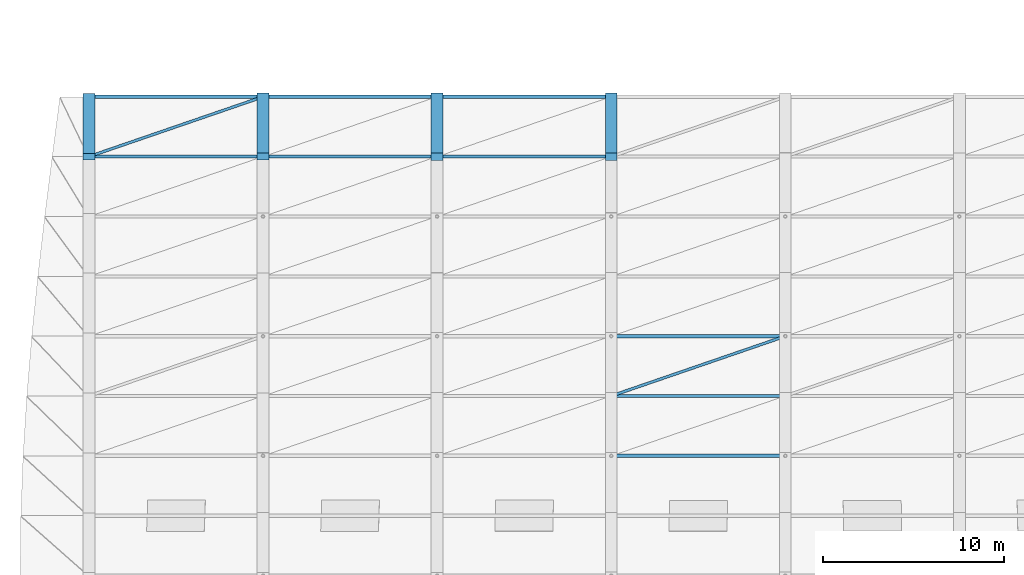
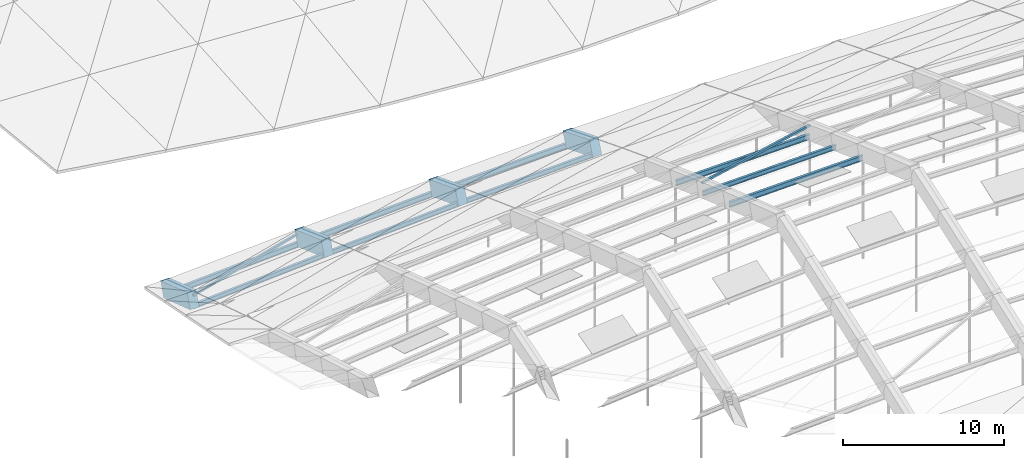
# One storey, part 22 of 43: 11 members, 4 beams.
"""IFC4 building model written with IfcOpenShell, lengths in metres."""

from ifc_helpers import new_model, si_unit, direction, frame, origin, origin_2d, place, context, subcontext, project, spatial, rectangle, hollow_rectangle, i_section, extrude, material, material_profile, profile_set, type_object, element, save


model = new_model("IFC4")

# Units and contexts
model_context = context("Model", 3, precision=1e-05, world=origin(), true_north=direction((0.0, 1.0)))
body_context = subcontext(model_context, "Body", "Model", "MODEL_VIEW")
ifc_project = project(units=[si_unit("LENGTHUNIT", "METRE"), si_unit("AREAUNIT", "SQUARE_METRE"), si_unit("VOLUMEUNIT", "CUBIC_METRE"), si_unit("PLANEANGLEUNIT", "RADIAN"), si_unit("MASSUNIT", "GRAM", prefix="KILO")], contexts=[model_context])

# Site, building, storey
site_placement = place(None, origin())
site = spatial("IfcSite", under=ifc_project, at=site_placement, CompositionType="ELEMENT")
building_placement = place(site_placement, origin())
building = spatial("IfcBuilding", under=site, at=building_placement, Name="Chalmorin Arch Market", CompositionType="ELEMENT")
storey_placement = place(building_placement, frame((0.0, 0.0, 18.60009765625)))
storey = spatial("IfcBuildingStorey", under=building, at=storey_placement, Name="RF", CompositionType="ELEMENT", Elevation=18.60009765625)

# Beams
ifc_material_1 = material(Name="Concrete C50/60", Category="concrete")
ifc_material_profile_1 = material_profile(ifc_material_1, rectangle(XDim=0.64990234375, YDim=1.14990234375, at=origin_2d()), Name="RC650X1150")
ifc_profile_set_1 = profile_set([ifc_material_profile_1], Name="Concrete C50/60")
beam_type = type_object("IfcBeamType", Name="ArchRibChord-650x1150", PredefinedType="BEAM", material=ifc_profile_set_1)
beam_1_placement = place(storey_placement, frame((48.0, 55.5, -2.14892578125), z_axis=(0.0, 0.948592027555, -0.316501445903), x_axis=(-1.0, 0.0, 0.0)))
element("IfcBeam", 1, at=beam_1_placement, inside=storey, type_object=beam_type, Name="AR-01-1600", PredefinedType="BEAM", context=body_context, shape_type="SweptSolid", body=[
    extrude(rectangle(XDim=0.64990234375, YDim=1.14990234375, at=origin_2d()), origin(), (0.0, 0.0, 1.0), 3.47900390625),
])
beam_2_placement = place(storey_placement, frame((57.60009765625, 55.5, -1.541259765625), z_axis=(0.0, 0.940512524689, -0.339759018869), x_axis=(-1.0, 0.0, 0.0)))
element("IfcBeam", 2, at=beam_2_placement, inside=storey, type_object=beam_type, Name="AR-01-1619", PredefinedType="BEAM", context=body_context, shape_type="SweptSolid", body=[
    extrude(rectangle(XDim=0.64990234375, YDim=1.14990234375, at=origin_2d()), origin(), (0.0, 0.0, 1.0), 3.5087890625),
])
beam_3_placement = place(storey_placement, frame((67.199951171875, 55.5, -1.026123046875), z_axis=(0.0, 0.933342046905, -0.358988333347), x_axis=(-1.0, 0.0, 0.0)))
element("IfcBeam", 3, at=beam_3_placement, inside=storey, type_object=beam_type, Name="AR-01-1638", PredefinedType="BEAM", context=body_context, shape_type="SweptSolid", body=[
    extrude(rectangle(XDim=0.64990234375, YDim=1.14990234375, at=origin_2d()), origin(), (0.0, 0.0, 1.0), 3.53564453125),
])
beam_4_placement = place(storey_placement, frame((76.800048828125, 55.5, -0.681884765625), z_axis=(0.0, 0.928377186823, -0.371639339935), x_axis=(-1.0, 0.0, 0.0)))
element("IfcBeam", 4, at=beam_4_placement, inside=storey, type_object=beam_type, Name="AR-01-1657", PredefinedType="BEAM", context=body_context, shape_type="SweptSolid", body=[
    extrude(rectangle(XDim=0.64990234375, YDim=1.14990234375, at=origin_2d()), origin(), (0.0, 0.0, 1.0), 3.5546875),
])

# Members
ifc_material_2 = material(Name="Steel A992 Grade 50", Category="steel")
ifc_material_profile_2 = material_profile(ifc_material_2, i_section(OverallWidth=0.1708984375, OverallDepth=0.35107421875, WebThickness=0.0068359375, FlangeThickness=0.009765625, FilletRadius=0.014892578125, at=origin_2d()), Name="W14X30")
ifc_profile_set_2 = profile_set([ifc_material_profile_2], Name="Steel A992 Grade 50")
member_type_1 = type_object("IfcMemberType", Name="RoofSteelPurlin-W14X30", PredefinedType="PURLIN", material=ifc_profile_set_2)
member_1_placement = place(storey_placement, frame((48.02001953125, 55.5, -2.62890625), z_axis=(0.997985973277, 0.0, 0.063434983592), x_axis=(0.0, 1.0, 0.0)))
element("IfcMember", 5, at=member_1_placement, inside=storey, type_object=member_type_1, Name="PR-W14-0199", PredefinedType="PURLIN", context=body_context, shape_type="SweptSolid", body=[
    extrude(i_section(OverallWidth=0.1708984375, OverallDepth=0.35107421875, WebThickness=0.0068359375, FlangeThickness=0.009765625, FilletRadius=0.014892578125, at=origin_2d()), origin(), (0.0, 0.0, 1.0), 9.579345703125),
])
member_2_placement = place(storey_placement, frame((57.6201171875, 55.5, -2.021240234375), z_axis=(0.998551322998, 0.0, 0.053807576973), x_axis=(0.0, 1.0, 0.0)))
element("IfcMember", 6, at=member_2_placement, inside=storey, type_object=member_type_1, Name="PR-W14-0220", PredefinedType="PURLIN", context=body_context, shape_type="SweptSolid", body=[
    extrude(i_section(OverallWidth=0.1708984375, OverallDepth=0.35107421875, WebThickness=0.0068359375, FlangeThickness=0.009765625, FilletRadius=0.014892578125, at=origin_2d()), origin(), (0.0, 0.0, 1.0), 9.57373046875),
])
member_3_placement = place(storey_placement, frame((67.219970703125, 55.5, -1.506103515625), z_axis=(0.99935326031, 0.0, 0.035959158889), x_axis=(0.0, 1.0, 0.0)))
element("IfcMember", 7, at=member_3_placement, inside=storey, type_object=member_type_1, Name="PR-W14-0237", PredefinedType="PURLIN", context=body_context, shape_type="SweptSolid", body=[
    extrude(i_section(OverallWidth=0.1708984375, OverallDepth=0.35107421875, WebThickness=0.0068359375, FlangeThickness=0.009765625, FilletRadius=0.014892578125, at=origin_2d()), origin(), (0.0, 0.0, 1.0), 9.566162109375),
])
member_4_placement = place(storey_placement, frame((76.820068359375, 42.300048828125, 3.81787109375), z_axis=(0.99980419354, 0.0, 0.019788243481), x_axis=(0.0, 1.0, 0.0)))
element("IfcMember", 8, at=member_4_placement, inside=storey, type_object=member_type_1, Name="PR-W14-0250", PredefinedType="PURLIN", context=body_context, shape_type="SweptSolid", body=[
    extrude(i_section(OverallWidth=0.1708984375, OverallDepth=0.35107421875, WebThickness=0.0068359375, FlangeThickness=0.009765625, FilletRadius=0.014892578125, at=origin_2d()), origin(), (0.0, 0.0, 1.0), 9.561767578125),
])
ifc_material_profile_3 = material_profile(ifc_material_2, i_section(OverallWidth=0.178955078125, OverallDepth=0.409912109375, WebThickness=0.0087890625, FlangeThickness=0.014404296875, FilletRadius=0.01806640625, at=origin_2d()), Name="W16X45")
ifc_profile_set_3 = profile_set([ifc_material_profile_3], Name="Steel A992 Grade 50")
member_type_2 = type_object("IfcMemberType", Name="RoofSteelPurlin-W16X45", PredefinedType="PURLIN", material=ifc_profile_set_3)
member_5_placement = place(storey_placement, frame((48.02001953125, 58.800048828125, -3.72998046875), z_axis=(0.998543164632, 0.0, 0.053958765421), x_axis=(0.0, 1.0, 0.0)))
element("IfcMember", 9, at=member_5_placement, inside=storey, type_object=member_type_2, Name="PR-W16-0200", PredefinedType="PURLIN", context=body_context, shape_type="SweptSolid", body=[
    extrude(i_section(OverallWidth=0.178955078125, OverallDepth=0.409912109375, WebThickness=0.0087890625, FlangeThickness=0.014404296875, FilletRadius=0.01806640625, at=origin_2d()), origin(), (0.0, 0.0, 1.0), 9.573974609375),
])
member_6_placement = place(storey_placement, frame((57.6201171875, 58.800048828125, -3.21337890625), z_axis=(0.998952116488, 0.0, 0.045767553617), x_axis=(0.0, 1.0, 0.0)))
element("IfcMember", 10, at=member_6_placement, inside=storey, type_object=member_type_2, Name="PR-W16-0221", PredefinedType="PURLIN", context=body_context, shape_type="SweptSolid", body=[
    extrude(i_section(OverallWidth=0.178955078125, OverallDepth=0.409912109375, WebThickness=0.0087890625, FlangeThickness=0.014404296875, FilletRadius=0.01806640625, at=origin_2d()), origin(), (0.0, 0.0, 1.0), 9.56982421875),
])
member_7_placement = place(storey_placement, frame((67.219970703125, 58.800048828125, -2.775390625), z_axis=(0.999532331741, 0.0, 0.030579695935), x_axis=(0.0, 1.0, 0.0)))
element("IfcMember", 11, at=member_7_placement, inside=storey, type_object=member_type_2, Name="PR-W16-0238", PredefinedType="PURLIN", context=body_context, shape_type="SweptSolid", body=[
    extrude(i_section(OverallWidth=0.178955078125, OverallDepth=0.409912109375, WebThickness=0.0087890625, FlangeThickness=0.014404296875, FilletRadius=0.01806640625, at=origin_2d()), origin(), (0.0, 0.0, 1.0), 9.564453125),
])
member_8_placement = place(storey_placement, frame((76.820068359375, 39.0, 4.98681640625), z_axis=(0.999769435227, 0.0, 0.021472689303), x_axis=(0.0, 1.0, 0.0)))
element("IfcMember", 12, at=member_8_placement, inside=storey, type_object=member_type_2, Name="PR-W16-0249", PredefinedType="PURLIN", context=body_context, shape_type="SweptSolid", body=[
    extrude(i_section(OverallWidth=0.178955078125, OverallDepth=0.409912109375, WebThickness=0.0087890625, FlangeThickness=0.014404296875, FilletRadius=0.01806640625, at=origin_2d()), origin(), (0.0, 0.0, 1.0), 9.56201171875),
])
member_9_placement = place(storey_placement, frame((76.820068359375, 45.60009765625, 2.618408203125), z_axis=(0.99983703894, 0.0, 0.018052577739), x_axis=(0.0, 1.0, 0.0)))
element("IfcMember", 13, at=member_9_placement, inside=storey, type_object=member_type_2, Name="PR-W16-0251", PredefinedType="PURLIN", context=body_context, shape_type="SweptSolid", body=[
    extrude(i_section(OverallWidth=0.178955078125, OverallDepth=0.409912109375, WebThickness=0.0087890625, FlangeThickness=0.014404296875, FilletRadius=0.01806640625, at=origin_2d()), origin(), (0.0, 0.0, 1.0), 9.561279296875),
])
ifc_material_3 = material(Name="Steel A500 Grade C", Category="steel")
ifc_material_profile_4 = material_profile(ifc_material_3, hollow_rectangle(XDim=0.15234375, YDim=0.15234375, WallThickness=0.0087890625, at=origin_2d()), Name="HSS6X6X3/8")
ifc_profile_set_4 = profile_set([ifc_material_profile_4], Name="Steel A500 Grade C")
member_type_3 = type_object("IfcMemberType", Name="VaultWindBrace-HSS6X6", PredefinedType="BRACE", material=ifc_profile_set_4)
member_10_placement = place(storey_placement, frame((48.0, 55.5, -1.799072265625), z_axis=(0.944122593345, 0.32454364209, -0.057480023612), x_axis=(-0.325081112779, 0.945686137212, 0.0)))
element("IfcMember", 14, at=member_10_placement, inside=storey, type_object=member_type_3, Name="BR-HS6-0204", ObjectType="Diagonal brace", PredefinedType="BRACE", context=body_context, shape_type="SweptSolid", body=[
    extrude(hollow_rectangle(XDim=0.15234375, YDim=0.15234375, WallThickness=0.0087890625, at=origin_2d()), origin(), (0.0, 0.0, 1.0), 10.168212890625),
])
member_11_placement = place(storey_placement, frame((76.800048828125, 42.300048828125, 4.64794921875), z_axis=(0.940882066163, 0.323437931088, -0.100642149749), x_axis=(-0.325088506439, 0.945683595597, 0.0)))
element("IfcMember", 15, at=member_11_placement, inside=storey, type_object=member_type_3, Name="BR-HS6-0258", ObjectType="Diagonal brace", PredefinedType="BRACE", context=body_context, shape_type="SweptSolid", body=[
    extrude(hollow_rectangle(XDim=0.15234375, YDim=0.15234375, WallThickness=0.0087890625, at=origin_2d()), origin(), (0.0, 0.0, 1.0), 10.203125),
])

save(model, "model.ifc")
